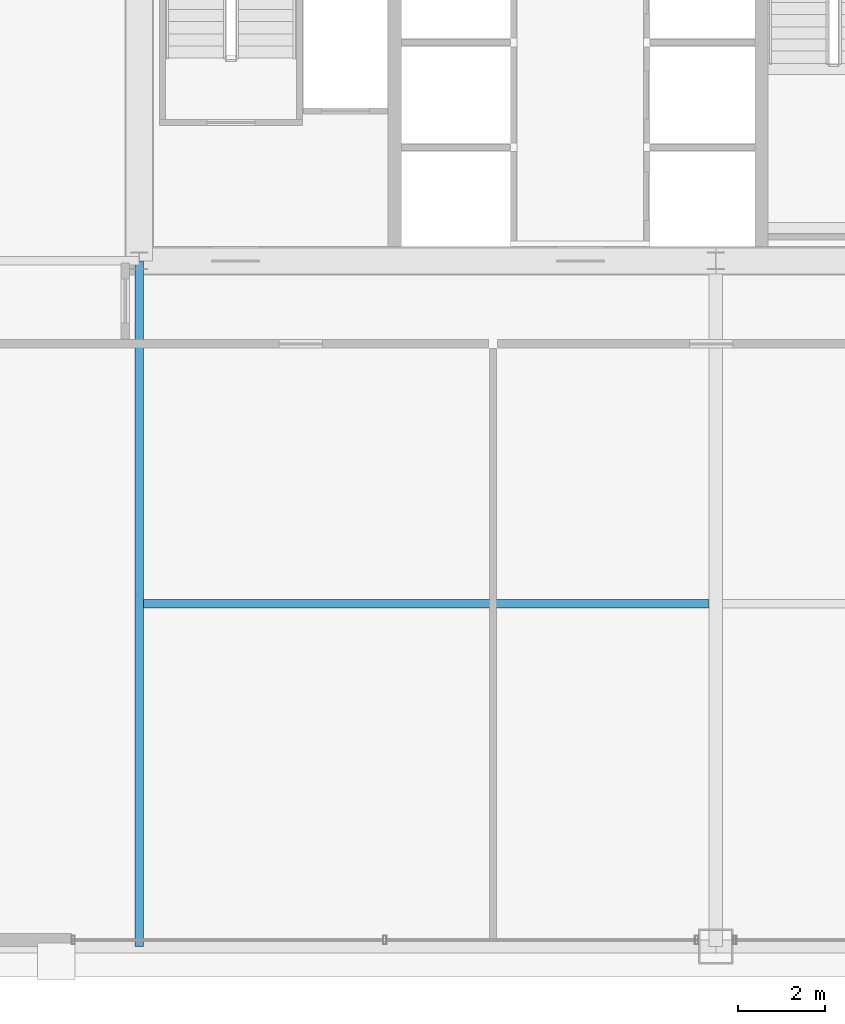
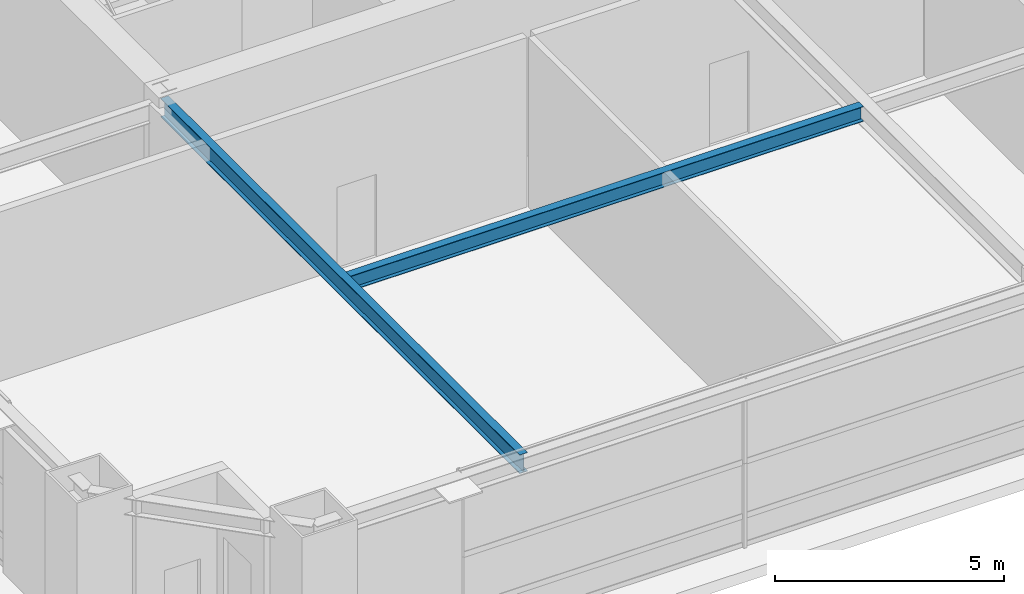
# One storey, part 9 of 34: 2 beams.
"""IFC4 building model written with IfcOpenShell, lengths in metres."""

from ifc_helpers import new_model, si_unit, direction, frame, origin, origin_2d, place, context, subcontext, project, spatial, i_section, extrude, source, transform, mapped, material, material_profile, profile_set, type_object, element, save


model = new_model("IFC4")

# Units and contexts
model_context = context("Model", 3, precision=1e-05, world=origin(), true_north=direction((0.0, 1.0)))
body_context = subcontext(model_context, "Body", "Model", "MODEL_VIEW")
ifc_project = project(units=[si_unit("LENGTHUNIT", "METRE"), si_unit("AREAUNIT", "SQUARE_METRE"), si_unit("VOLUMEUNIT", "CUBIC_METRE"), si_unit("PLANEANGLEUNIT", "RADIAN"), si_unit("MASSUNIT", "GRAM", prefix="KILO"), si_unit("THERMODYNAMICTEMPERATUREUNIT", "KELVIN"), si_unit("POWERUNIT", "WATT")], contexts=[model_context])

# Site, building, storey
site_placement = place(None, origin())
site = spatial("IfcSite", under=ifc_project, at=site_placement, CompositionType="ELEMENT")
building_placement = place(site_placement, origin())
building = spatial("IfcBuilding", under=site, at=building_placement, Name="Yuzanri Waterfront Tower", CompositionType="ELEMENT")
storey_placement = place(building_placement, frame((0.0, 0.0, 171.60009765625)))
storey = spatial("IfcBuildingStorey", under=building, at=storey_placement, Name="L45", CompositionType="ELEMENT", Elevation=171.60009765625)

# Beams
ifc_material_1 = material(Name="Steel Q355B", Category="steel")
ifc_material_profile_1 = material_profile(ifc_material_1, i_section(OverallWidth=0.199951171875, OverallDepth=0.39990234375, WebThickness=0.008056640625, FlangeThickness=0.012939453125, at=origin_2d()), Name="HN 400x200x8x13")
ifc_profile_set_1 = profile_set([ifc_material_profile_1], Name="Steel Q355B")
beam_type_1 = type_object("IfcBeamType", Name="Floor Joist Q355B HN 400x200", PredefinedType="JOIST", material=ifc_profile_set_1)
shared_shape_1 = source(origin(), body_context, "Body", "SweptSolid", [
    extrude(i_section(OverallWidth=0.199951171875, OverallDepth=0.39990234375, WebThickness=0.008056640625, FlangeThickness=0.012939453125, at=origin_2d()), origin(), (0.0, 0.0, 1.0), 12.9501953125),
])
beam_1_placement = place(storey_placement, frame((23.89990234375, 11.550048828125, 4.31982421875), z_axis=(1.0, 0.0, 0.0), x_axis=(0.0, 1.0, 0.0)))
element("IfcBeam", 1, at=beam_1_placement, inside=storey, type_object=beam_type_1, Name="L45 South Bay Joist W", PredefinedType="JOIST", context=body_context, shape_type="MappedRepresentation", body=[
    mapped(shared_shape_1, transform((0.0, 0.0, 0.0), scale=1.0)),
])
ifc_material_2 = material(Name="Steel Q355B", Category="steel")
ifc_material_profile_2 = material_profile(ifc_material_2, i_section(OverallWidth=0.199951171875, OverallDepth=0.5, WebThickness=0.010009765625, FlangeThickness=0.01611328125, at=origin_2d()), Name="HN 500x200x10x16")
ifc_profile_set_2 = profile_set([ifc_material_profile_2], Name="Steel Q355B")
beam_type_2 = type_object("IfcBeamType", Name="Secondary Floor Beam Q355B HN 500x200", PredefinedType="BEAM", material=ifc_profile_set_2)
shared_shape_2 = source(origin(), body_context, "Body", "SweptSolid", [
    extrude(i_section(OverallWidth=0.199951171875, OverallDepth=0.5, WebThickness=0.010009765625, FlangeThickness=0.01611328125, at=origin_2d()), origin(), (0.0, 0.0, 1.0), 15.699951171875),
])
beam_2_placement = place(storey_placement, frame((23.800048828125, 19.39990234375, 4.27001953125), z_axis=(0.0, -1.0, 0.0), x_axis=(1.0, 0.0, 0.0)))
element("IfcBeam", 2, at=beam_2_placement, inside=storey, type_object=beam_type_2, Name="L45 South-West Core Line Beam", PredefinedType="BEAM", context=body_context, shape_type="MappedRepresentation", body=[
    mapped(shared_shape_2, transform((0.0, 0.0, 0.0), scale=1.0)),
])

save(model, "model.ifc")
